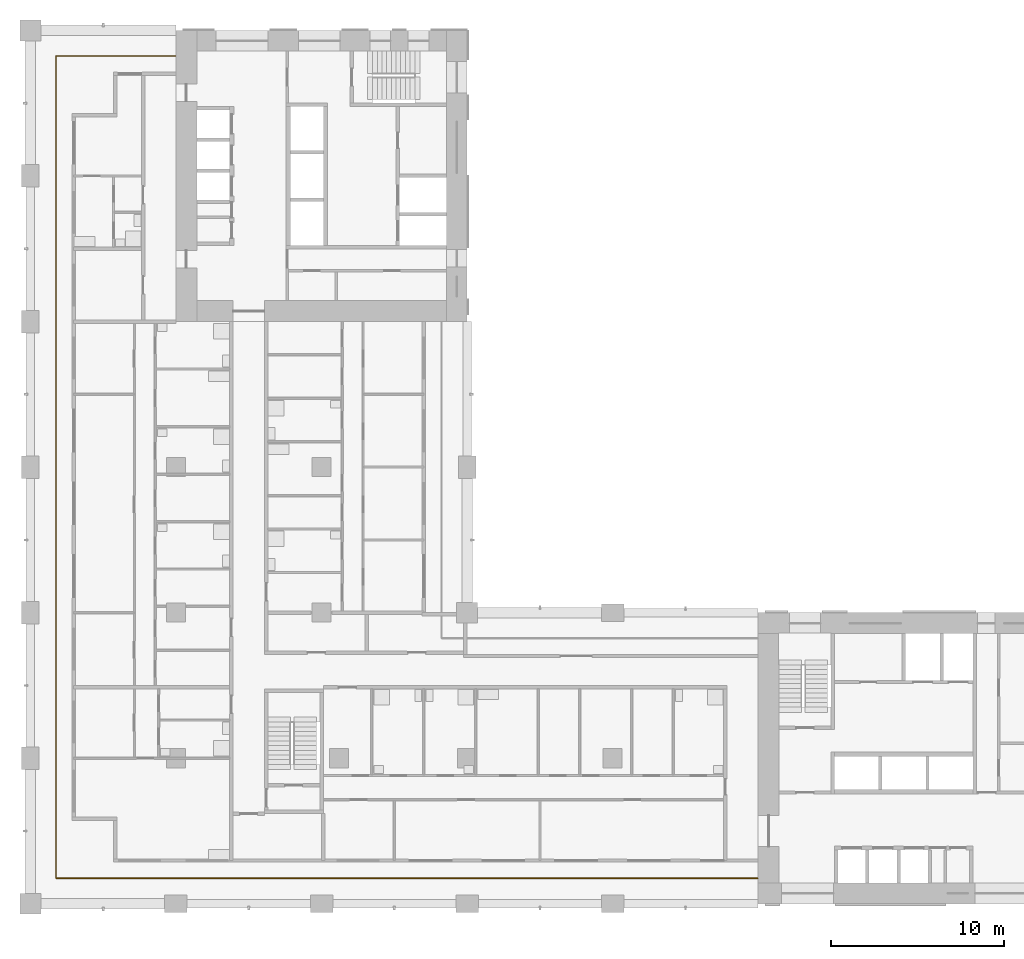
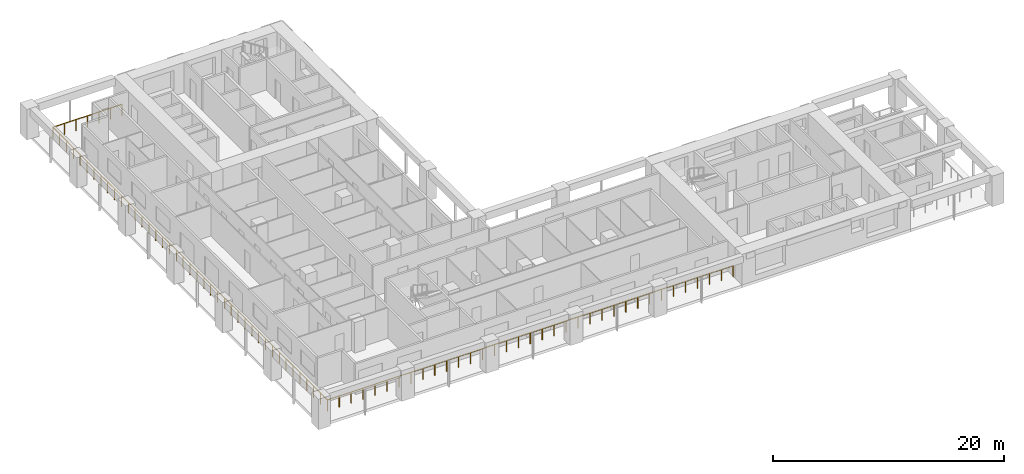
# One storey, part 10 of 16: 1 railing.
"""IFC4 building model written with IfcOpenShell, lengths in metres."""

import ifcopenshell
import ifcopenshell.guid

model = None  # the IFC model being written
_history = None  # IfcOwnerHistory: only IFC2X3 demands one
_inside = {}  # id of a spatial element -> (the spatial element, [elements in it])
_under = {}  # id of a project, library or spatial element -> (it, [spatial elements below it])
_declared = {}  # id of a project -> (the project, [libraries it declares])
_typed = {}  # id of a type object -> (the type object, [elements of that type])
_made_of = {}  # id of a material, layer set ... -> (it, [elements and type objects made of it])


def new_model(schema):
    """Start an empty IFC model of exactly this schema.

    Asked for "IFC4X3", IfcOpenShell would pick the latest addendum, in which some entities
    have other attributes; the version numbers below select the first issue.
    IFC2X3 requires an IfcOwnerHistory on every rooted entity: one is made here for all.
    """
    global model, _history
    if schema == "IFC4X3":
        model = ifcopenshell.file(schema_version=(4, 3, 0, 0))
    else:
        model = ifcopenshell.file(schema=schema)
    _inside.clear()
    _under.clear()
    _declared.clear()
    _typed.clear()
    _made_of.clear()
    _history = None
    if model.schema == "IFC2X3":
        org = make("IfcOrganization", Name="unknown")
        user = make(
            "IfcPersonAndOrganization",
            ThePerson=make("IfcPerson", FamilyName="unknown"),
            TheOrganization=org,
        )
        app = make(
            "IfcApplication",
            ApplicationDeveloper=org,
            Version="unknown",
            ApplicationFullName="unknown",
            ApplicationIdentifier="unknown",
        )
        _history = make(
            "IfcOwnerHistory",
            OwningUser=user,
            OwningApplication=app,
            ChangeAction="ADDED",
            CreationDate=0,
        )
    return model


def make(cls, **values):
    """One entity of the class cls with the attributes given. An attribute that is None is left unset."""
    return model.create_entity(
        cls, **{name: value for name, value in values.items() if value is not None}
    )


def rooted(cls, **values):
    """An entity with a GlobalId (a new one), such as an element, a storey or a relation."""
    return make(cls, GlobalId=ifcopenshell.guid.new(), OwnerHistory=_history, **values)


def si_unit(unit_type, name, prefix=None):
    """IfcSIUnit, for example si_unit("LENGTHUNIT", "METRE", prefix="MILLI")."""
    return make("IfcSIUnit", UnitType=unit_type, Prefix=prefix, Name=name)


def assignment(units):
    """IfcUnitAssignment: the units of a project."""
    return None if units is None else make("IfcUnitAssignment", Units=units)


def point(xyz):
    """IfcCartesianPoint."""
    return None if xyz is None else make("IfcCartesianPoint", Coordinates=xyz)


def direction(xyz):
    """IfcDirection."""
    return None if xyz is None else make("IfcDirection", DirectionRatios=xyz)


def frame(location, z_axis=None, x_axis=None):
    """IfcAxis2Placement3D, a coordinate frame: its origin and axes. An axis left out is left unset."""
    return make(
        "IfcAxis2Placement3D",
        Location=point(location),
        Axis=direction(z_axis),
        RefDirection=direction(x_axis),
    )


def frame_2d(location, x_axis=None):
    """IfcAxis2Placement2D, a coordinate frame in the plane: its origin and x axis."""
    return make(
        "IfcAxis2Placement2D", Location=point(location), RefDirection=direction(x_axis)
    )


def origin():
    """The frame at (0, 0, 0) with its axes left unset."""
    return frame((0.0, 0.0, 0.0))


def origin_2d():
    """The frame at (0, 0) in the plane with its x axis left unset."""
    return frame_2d((0.0, 0.0))


def place(relative_to, where):
    """IfcLocalPlacement: puts the frame where relative to a parent placement (None: the world)."""
    return make(
        "IfcLocalPlacement", PlacementRelTo=relative_to, RelativePlacement=where
    )


def context(
    kind, dimensions, precision=None, world=None, true_north=None, identifier=None
):
    """IfcGeometricRepresentationContext, for example the 3D "Model" context."""
    return make(
        "IfcGeometricRepresentationContext",
        ContextIdentifier=identifier,
        ContextType=kind,
        CoordinateSpaceDimension=dimensions,
        Precision=precision,
        WorldCoordinateSystem=world,
        TrueNorth=true_north,
    )


def subcontext(parent, identifier, kind, view, scale=None):
    """IfcGeometricRepresentationSubContext, for example "Body" below "Model"."""
    return make(
        "IfcGeometricRepresentationSubContext",
        ContextIdentifier=identifier,
        ContextType=kind,
        ParentContext=parent,
        TargetScale=scale,
        TargetView=view,
    )


def project(units=None, contexts=None):
    """IfcProject with its units and contexts."""
    return rooted(
        "IfcProject",
        Name="project",
        RepresentationContexts=contexts,
        UnitsInContext=assignment(units),
    )


def spatial(cls, under=None, at=None, **own):
    """A site, building, storey or space (cls), placed at a placement, below another one or the project."""
    s = rooted(cls, ObjectPlacement=at, **own)
    if under is not None:
        _under.setdefault(under.id(), (under, []))[1].append(s)
    return s


def profile(cls, at=None, kind="AREA", **sizes):
    """A parametric profile (cls). Its sizes go by their IFC names, for example OverallWidth=200.0."""
    return make(cls, ProfileType=kind, Position=at, **sizes)


def circle(**sizes):
    """IfcCircleProfileDef."""
    return profile("IfcCircleProfileDef", **sizes)


def extrude(swept, where, along, depth):
    """IfcExtrudedAreaSolid: the profile swept, set in the frame where, extruded along a direction by depth."""
    return make(
        "IfcExtrudedAreaSolid",
        SweptArea=swept,
        Position=where,
        ExtrudedDirection=direction(along),
        Depth=depth,
    )


def shape(context_of_items, identifier, shape_type, items):
    """IfcShapeRepresentation: the items that make up one representation, for example the "Body"."""
    return make(
        "IfcShapeRepresentation",
        ContextOfItems=context_of_items,
        RepresentationIdentifier=identifier,
        RepresentationType=shape_type,
        Items=items,
    )


def material(Name=None, Category=None):
    """IfcMaterial."""
    return make("IfcMaterial", Name=Name, Category=Category)


def made_of(thing, what):
    """Note that an element or type object is made of a material, layer set ...; save() writes the relation."""
    if what is not None:
        _made_of.setdefault(what.id(), (what, []))[1].append(thing)
    return thing


def type_object(cls, material=None, **own):
    """A type object (cls), such as IfcWallType, which elements share."""
    return made_of(rooted(cls, **own), material)


def element(
    cls,
    number,
    at=None,
    inside=None,
    cuts=None,
    type_object=None,
    material=None,
    context=None,
    identifier="Body",
    shape_type=None,
    held_by="IfcProductDefinitionShape",
    body=None,
    shapes=None,
    **own,
):
    """One element of the class cls, such as IfcWall. Its Tag is "e" and its number.

    at: its placement. inside: the storey or other place that contains it. cuts: it is an
    opening in that element (IfcRelVoidsElement). A single representation is given by context,
    identifier, shape_type and body (its items); several are given by shapes. held_by: the class
    of the entity that holds the representations. save() writes the other relations.
    """
    e = rooted(cls, Tag="e%d" % number, ObjectPlacement=at, **own)
    if body is not None:
        shapes = [shape(context, identifier, shape_type, body)]
    if shapes is not None:
        e.Representation = make(held_by, Representations=shapes)
    if inside is not None:
        _inside.setdefault(inside.id(), (inside, []))[1].append(e)
    if cuts is not None:
        rooted(
            "IfcRelVoidsElement", RelatingBuildingElement=cuts, RelatedOpeningElement=e
        )
    if type_object is not None:
        _typed.setdefault(type_object.id(), (type_object, []))[1].append(e)
    return made_of(e, material)


def aggregate(whole, parts):
    """IfcRelAggregates: a whole, such as a stair, and the parts it consists of."""
    return rooted("IfcRelAggregates", RelatingObject=whole, RelatedObjects=parts)


def save(model, path):
    """Write the relations noted so far, then the file.

    IfcRelAggregates (storeys below a building ...), IfcRelContainedInSpatialStructure (elements
    in a storey), IfcRelDefinesByType, IfcRelAssociatesMaterial and IfcRelDeclares: one each for
    every whole, place, type object, material and project.
    """
    for whole, parts in _under.values():
        aggregate(whole, parts)
    for where, things in _inside.values():
        rooted(
            "IfcRelContainedInSpatialStructure",
            RelatedElements=things,
            RelatingStructure=where,
        )
    for kind, things in _typed.values():
        rooted("IfcRelDefinesByType", RelatedObjects=things, RelatingType=kind)
    for what, things in _made_of.values():
        rooted("IfcRelAssociatesMaterial", RelatedObjects=things, RelatingMaterial=what)
    for by, libraries in _declared.values():
        rooted("IfcRelDeclares", RelatingContext=by, RelatedDefinitions=libraries)
    model.write(path)


model = new_model("IFC4")

# Units and contexts
model_context = context("Model", 3, precision=1e-05, world=origin(), true_north=direction((0.0, 1.0)))
body_context = subcontext(model_context, "Body", "Model", "MODEL_VIEW")
ifc_project = project(units=[si_unit("LENGTHUNIT", "METRE"), si_unit("AREAUNIT", "SQUARE_METRE"), si_unit("VOLUMEUNIT", "CUBIC_METRE"), si_unit("PLANEANGLEUNIT", "RADIAN"), si_unit("MASSUNIT", "GRAM", prefix="KILO")], contexts=[model_context])

# Site, building, storey
site_placement = place(None, origin())
site = spatial("IfcSite", under=ifc_project, at=site_placement, CompositionType="ELEMENT")
building_placement = place(site_placement, origin())
building = spatial("IfcBuilding", under=site, at=building_placement, Name="Vermilion Gate Residences", CompositionType="ELEMENT")
storey_placement = place(building_placement, frame((0.0, 0.0, 126.699951171875)))
storey = spatial("IfcBuildingStorey", under=building, at=storey_placement, Name="L32", CompositionType="ELEMENT", Elevation=126.699951171875)

# Railing
ifc_material = material(Name="Stainless steel and toughened glass", Category="steel")
railing_type = type_object("IfcRailingType", Name="LOGGIA GUARD STEEL AND GLASS 1200", PredefinedType="GUARDRAIL", material=ifc_material)
railing_placement = place(storey_placement, frame((8.3779296875, 57.324951171875, 0.0)))
element("IfcRailing", 1, at=railing_placement, inside=storey, type_object=railing_type, Name="Loggia guard", PredefinedType="GUARDRAIL", context=body_context, shape_type="SweptSolid", body=[
    extrude(circle(Radius=0.030029296875, at=origin_2d()), frame((0.0, 0.0, 1.169921875), z_axis=(-1.0, 0.0, 0.0), x_axis=(0.0, -1.0, 0.0)), (0.0, 0.0, 1.0), 6.90283203125),
    extrude(circle(Radius=0.030029296875, at=origin_2d()), frame((-6.90283203125, 0.0, 1.169921875), z_axis=(0.0, -1.0, 0.0), x_axis=(1.0, 0.0, 0.0)), (0.0, 0.0, 1.0), 47.449951171875),
    extrude(circle(Radius=0.030029296875, at=origin_2d()), frame((-6.90283203125, -47.449951171875, 1.169921875), z_axis=(1.0, 0.0, 0.0), x_axis=(0.0, 1.0, 0.0)), (0.0, 0.0, 1.0), 40.5029296875),
    extrude(circle(Radius=0.02490234375, at=origin_2d()), origin(), (0.0, 0.0, 1.0), 1.139892578125),
    extrude(circle(Radius=0.02490234375, at=origin_2d()), frame((-1.150390625, 0.0, 0.0)), (0.0, 0.0, 1.0), 1.139892578125),
    extrude(circle(Radius=0.02490234375, at=origin_2d()), frame((-2.301025390625, 0.0, 0.0)), (0.0, 0.0, 1.0), 1.139892578125),
    extrude(circle(Radius=0.02490234375, at=origin_2d()), frame((-3.451416015625, 0.0, 0.0)), (0.0, 0.0, 1.0), 1.139892578125),
    extrude(circle(Radius=0.02490234375, at=origin_2d()), frame((-4.601806640625, 0.0, 0.0)), (0.0, 0.0, 1.0), 1.139892578125),
    extrude(circle(Radius=0.02490234375, at=origin_2d()), frame((-5.75244140625, 0.0, 0.0)), (0.0, 0.0, 1.0), 1.139892578125),
    extrude(circle(Radius=0.02490234375, at=origin_2d()), frame((-6.90283203125, 0.0, 0.0)), (0.0, 0.0, 1.0), 1.139892578125),
    extrude(circle(Radius=0.02490234375, at=origin_2d()), frame((-6.90283203125, -1.186279296875, 0.0)), (0.0, 0.0, 1.0), 1.139892578125),
    extrude(circle(Radius=0.02490234375, at=origin_2d()), frame((-6.90283203125, -2.37255859375, 0.0)), (0.0, 0.0, 1.0), 1.139892578125),
    extrude(circle(Radius=0.02490234375, at=origin_2d()), frame((-6.90283203125, -3.558837890625, 0.0)), (0.0, 0.0, 1.0), 1.139892578125),
    extrude(circle(Radius=0.02490234375, at=origin_2d()), frame((-6.90283203125, -4.7451171875, 0.0)), (0.0, 0.0, 1.0), 1.139892578125),
    extrude(circle(Radius=0.02490234375, at=origin_2d()), frame((-6.90283203125, -5.93115234375, 0.0)), (0.0, 0.0, 1.0), 1.139892578125),
    extrude(circle(Radius=0.02490234375, at=origin_2d()), frame((-6.90283203125, -7.117431640625, 0.0)), (0.0, 0.0, 1.0), 1.139892578125),
    extrude(circle(Radius=0.02490234375, at=origin_2d()), frame((-6.90283203125, -8.3037109375, 0.0)), (0.0, 0.0, 1.0), 1.139892578125),
    extrude(circle(Radius=0.02490234375, at=origin_2d()), frame((-6.90283203125, -9.489990234375, 0.0)), (0.0, 0.0, 1.0), 1.139892578125),
    extrude(circle(Radius=0.02490234375, at=origin_2d()), frame((-6.90283203125, -10.67626953125, 0.0)), (0.0, 0.0, 1.0), 1.139892578125),
    extrude(circle(Radius=0.02490234375, at=origin_2d()), frame((-6.90283203125, -11.862548828125, 0.0)), (0.0, 0.0, 1.0), 1.139892578125),
    extrude(circle(Radius=0.02490234375, at=origin_2d()), frame((-6.90283203125, -13.048828125, 0.0)), (0.0, 0.0, 1.0), 1.139892578125),
    extrude(circle(Radius=0.02490234375, at=origin_2d()), frame((-6.90283203125, -14.23486328125, 0.0)), (0.0, 0.0, 1.0), 1.139892578125),
    extrude(circle(Radius=0.02490234375, at=origin_2d()), frame((-6.90283203125, -15.421142578125, 0.0)), (0.0, 0.0, 1.0), 1.139892578125),
    extrude(circle(Radius=0.02490234375, at=origin_2d()), frame((-6.90283203125, -16.607421875, 0.0)), (0.0, 0.0, 1.0), 1.139892578125),
    extrude(circle(Radius=0.02490234375, at=origin_2d()), frame((-6.90283203125, -17.793701171875, 0.0)), (0.0, 0.0, 1.0), 1.139892578125),
    extrude(circle(Radius=0.02490234375, at=origin_2d()), frame((-6.90283203125, -18.97998046875, 0.0)), (0.0, 0.0, 1.0), 1.139892578125),
    extrude(circle(Radius=0.02490234375, at=origin_2d()), frame((-6.90283203125, -20.166259765625, 0.0)), (0.0, 0.0, 1.0), 1.139892578125),
    extrude(circle(Radius=0.02490234375, at=origin_2d()), frame((-6.90283203125, -21.3525390625, 0.0)), (0.0, 0.0, 1.0), 1.139892578125),
    extrude(circle(Radius=0.02490234375, at=origin_2d()), frame((-6.90283203125, -22.538818359375, 0.0)), (0.0, 0.0, 1.0), 1.139892578125),
    extrude(circle(Radius=0.02490234375, at=origin_2d()), frame((-6.90283203125, -23.72509765625, 0.0)), (0.0, 0.0, 1.0), 1.139892578125),
    extrude(circle(Radius=0.02490234375, at=origin_2d()), frame((-6.90283203125, -24.9111328125, 0.0)), (0.0, 0.0, 1.0), 1.139892578125),
    extrude(circle(Radius=0.02490234375, at=origin_2d()), frame((-6.90283203125, -26.097412109375, 0.0)), (0.0, 0.0, 1.0), 1.139892578125),
    extrude(circle(Radius=0.02490234375, at=origin_2d()), frame((-6.90283203125, -27.28369140625, 0.0)), (0.0, 0.0, 1.0), 1.139892578125),
    extrude(circle(Radius=0.02490234375, at=origin_2d()), frame((-6.90283203125, -28.469970703125, 0.0)), (0.0, 0.0, 1.0), 1.139892578125),
    extrude(circle(Radius=0.02490234375, at=origin_2d()), frame((-6.90283203125, -29.65625, 0.0)), (0.0, 0.0, 1.0), 1.139892578125),
    extrude(circle(Radius=0.02490234375, at=origin_2d()), frame((-6.90283203125, -30.842529296875, 0.0)), (0.0, 0.0, 1.0), 1.139892578125),
    extrude(circle(Radius=0.02490234375, at=origin_2d()), frame((-6.90283203125, -32.02880859375, 0.0)), (0.0, 0.0, 1.0), 1.139892578125),
    extrude(circle(Radius=0.02490234375, at=origin_2d()), frame((-6.90283203125, -33.21484375, 0.0)), (0.0, 0.0, 1.0), 1.139892578125),
    extrude(circle(Radius=0.02490234375, at=origin_2d()), frame((-6.90283203125, -34.401123046875, 0.0)), (0.0, 0.0, 1.0), 1.139892578125),
    extrude(circle(Radius=0.02490234375, at=origin_2d()), frame((-6.90283203125, -35.58740234375, 0.0)), (0.0, 0.0, 1.0), 1.139892578125),
    extrude(circle(Radius=0.02490234375, at=origin_2d()), frame((-6.90283203125, -36.773681640625, 0.0)), (0.0, 0.0, 1.0), 1.139892578125),
    extrude(circle(Radius=0.02490234375, at=origin_2d()), frame((-6.90283203125, -37.9599609375, 0.0)), (0.0, 0.0, 1.0), 1.139892578125),
    extrude(circle(Radius=0.02490234375, at=origin_2d()), frame((-6.90283203125, -39.146240234375, 0.0)), (0.0, 0.0, 1.0), 1.139892578125),
    extrude(circle(Radius=0.02490234375, at=origin_2d()), frame((-6.90283203125, -40.33251953125, 0.0)), (0.0, 0.0, 1.0), 1.139892578125),
    extrude(circle(Radius=0.02490234375, at=origin_2d()), frame((-6.90283203125, -41.518798828125, 0.0)), (0.0, 0.0, 1.0), 1.139892578125),
    extrude(circle(Radius=0.02490234375, at=origin_2d()), frame((-6.90283203125, -42.705078125, 0.0)), (0.0, 0.0, 1.0), 1.139892578125),
    extrude(circle(Radius=0.02490234375, at=origin_2d()), frame((-6.90283203125, -43.89111328125, 0.0)), (0.0, 0.0, 1.0), 1.139892578125),
    extrude(circle(Radius=0.02490234375, at=origin_2d()), frame((-6.90283203125, -45.077392578125, 0.0)), (0.0, 0.0, 1.0), 1.139892578125),
    extrude(circle(Radius=0.02490234375, at=origin_2d()), frame((-6.90283203125, -46.263671875, 0.0)), (0.0, 0.0, 1.0), 1.139892578125),
    extrude(circle(Radius=0.02490234375, at=origin_2d()), frame((-6.90283203125, -47.449951171875, 0.0)), (0.0, 0.0, 1.0), 1.139892578125),
    extrude(circle(Radius=0.02490234375, at=origin_2d()), frame((-5.711669921875, -47.449951171875, 0.0)), (0.0, 0.0, 1.0), 1.139892578125),
    extrude(circle(Radius=0.02490234375, at=origin_2d()), frame((-4.520263671875, -47.449951171875, 0.0)), (0.0, 0.0, 1.0), 1.139892578125),
    extrude(circle(Radius=0.02490234375, at=origin_2d()), frame((-3.3291015625, -47.449951171875, 0.0)), (0.0, 0.0, 1.0), 1.139892578125),
    extrude(circle(Radius=0.02490234375, at=origin_2d()), frame((-2.1376953125, -47.449951171875, 0.0)), (0.0, 0.0, 1.0), 1.139892578125),
    extrude(circle(Radius=0.02490234375, at=origin_2d()), frame((-0.946533203125, -47.449951171875, 0.0)), (0.0, 0.0, 1.0), 1.139892578125),
    extrude(circle(Radius=0.02490234375, at=origin_2d()), frame((0.24462890625, -47.449951171875, 0.0)), (0.0, 0.0, 1.0), 1.139892578125),
    extrude(circle(Radius=0.02490234375, at=origin_2d()), frame((1.43603515625, -47.449951171875, 0.0)), (0.0, 0.0, 1.0), 1.139892578125),
    extrude(circle(Radius=0.02490234375, at=origin_2d()), frame((2.627197265625, -47.449951171875, 0.0)), (0.0, 0.0, 1.0), 1.139892578125),
    extrude(circle(Radius=0.02490234375, at=origin_2d()), frame((3.818603515625, -47.449951171875, 0.0)), (0.0, 0.0, 1.0), 1.139892578125),
    extrude(circle(Radius=0.02490234375, at=origin_2d()), frame((5.009765625, -47.449951171875, 0.0)), (0.0, 0.0, 1.0), 1.139892578125),
    extrude(circle(Radius=0.02490234375, at=origin_2d()), frame((6.201171875, -47.449951171875, 0.0)), (0.0, 0.0, 1.0), 1.139892578125),
    extrude(circle(Radius=0.02490234375, at=origin_2d()), frame((7.392333984375, -47.449951171875, 0.0)), (0.0, 0.0, 1.0), 1.139892578125),
    extrude(circle(Radius=0.02490234375, at=origin_2d()), frame((8.58349609375, -47.449951171875, 0.0)), (0.0, 0.0, 1.0), 1.139892578125),
    extrude(circle(Radius=0.02490234375, at=origin_2d()), frame((9.77490234375, -47.449951171875, 0.0)), (0.0, 0.0, 1.0), 1.139892578125),
    extrude(circle(Radius=0.02490234375, at=origin_2d()), frame((10.966064453125, -47.449951171875, 0.0)), (0.0, 0.0, 1.0), 1.139892578125),
    extrude(circle(Radius=0.02490234375, at=origin_2d()), frame((12.157470703125, -47.449951171875, 0.0)), (0.0, 0.0, 1.0), 1.139892578125),
    extrude(circle(Radius=0.02490234375, at=origin_2d()), frame((13.3486328125, -47.449951171875, 0.0)), (0.0, 0.0, 1.0), 1.139892578125),
    extrude(circle(Radius=0.02490234375, at=origin_2d()), frame((14.539794921875, -47.449951171875, 0.0)), (0.0, 0.0, 1.0), 1.139892578125),
    extrude(circle(Radius=0.02490234375, at=origin_2d()), frame((15.731201171875, -47.449951171875, 0.0)), (0.0, 0.0, 1.0), 1.139892578125),
    extrude(circle(Radius=0.02490234375, at=origin_2d()), frame((16.92236328125, -47.449951171875, 0.0)), (0.0, 0.0, 1.0), 1.139892578125),
    extrude(circle(Radius=0.02490234375, at=origin_2d()), frame((18.11376953125, -47.449951171875, 0.0)), (0.0, 0.0, 1.0), 1.139892578125),
    extrude(circle(Radius=0.02490234375, at=origin_2d()), frame((19.304931640625, -47.449951171875, 0.0)), (0.0, 0.0, 1.0), 1.139892578125),
    extrude(circle(Radius=0.02490234375, at=origin_2d()), frame((20.49609375, -47.449951171875, 0.0)), (0.0, 0.0, 1.0), 1.139892578125),
    extrude(circle(Radius=0.02490234375, at=origin_2d()), frame((21.6875, -47.449951171875, 0.0)), (0.0, 0.0, 1.0), 1.139892578125),
    extrude(circle(Radius=0.02490234375, at=origin_2d()), frame((22.878662109375, -47.449951171875, 0.0)), (0.0, 0.0, 1.0), 1.139892578125),
    extrude(circle(Radius=0.02490234375, at=origin_2d()), frame((24.070068359375, -47.449951171875, 0.0)), (0.0, 0.0, 1.0), 1.139892578125),
    extrude(circle(Radius=0.02490234375, at=origin_2d()), frame((25.26123046875, -47.449951171875, 0.0)), (0.0, 0.0, 1.0), 1.139892578125),
    extrude(circle(Radius=0.02490234375, at=origin_2d()), frame((26.45263671875, -47.449951171875, 0.0)), (0.0, 0.0, 1.0), 1.139892578125),
    extrude(circle(Radius=0.02490234375, at=origin_2d()), frame((27.643798828125, -47.449951171875, 0.0)), (0.0, 0.0, 1.0), 1.139892578125),
    extrude(circle(Radius=0.02490234375, at=origin_2d()), frame((28.8349609375, -47.449951171875, 0.0)), (0.0, 0.0, 1.0), 1.139892578125),
    extrude(circle(Radius=0.02490234375, at=origin_2d()), frame((30.0263671875, -47.449951171875, 0.0)), (0.0, 0.0, 1.0), 1.139892578125),
    extrude(circle(Radius=0.02490234375, at=origin_2d()), frame((31.217529296875, -47.449951171875, 0.0)), (0.0, 0.0, 1.0), 1.139892578125),
    extrude(circle(Radius=0.02490234375, at=origin_2d()), frame((32.408935546875, -47.449951171875, 0.0)), (0.0, 0.0, 1.0), 1.139892578125),
    extrude(circle(Radius=0.02490234375, at=origin_2d()), frame((33.60009765625, -47.449951171875, 0.0)), (0.0, 0.0, 1.0), 1.139892578125),
])

save(model, "model.ifc")
